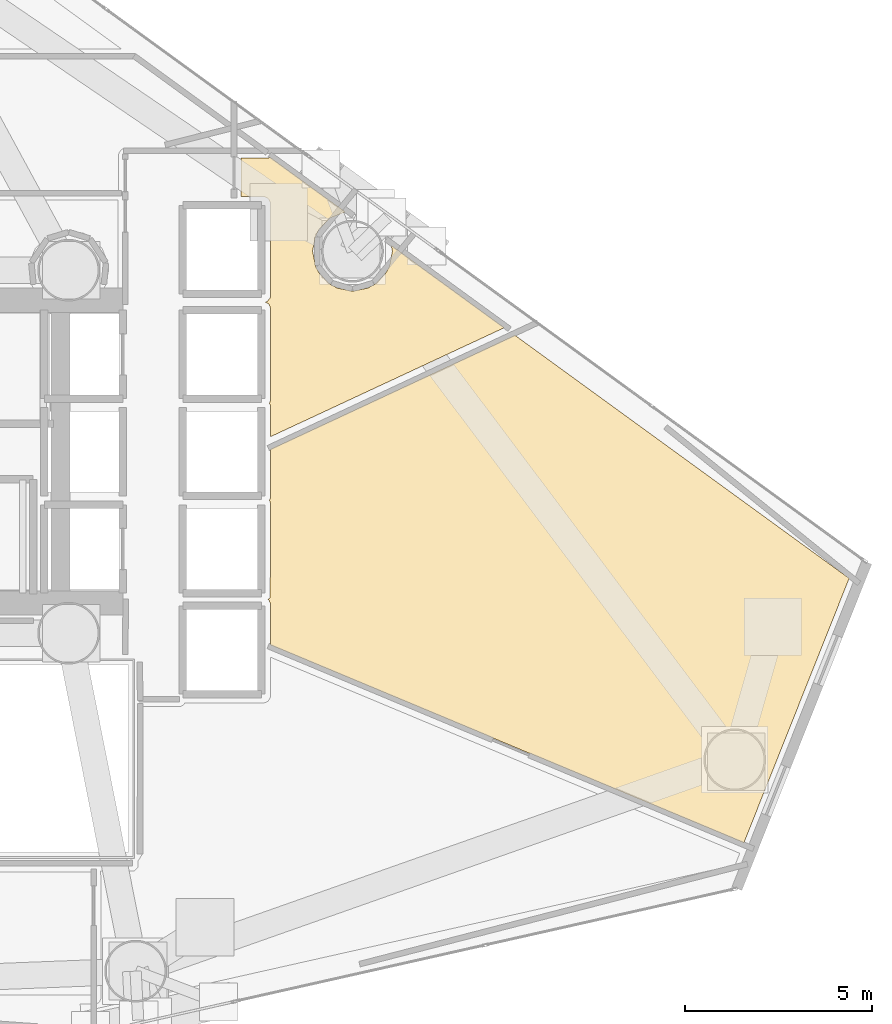
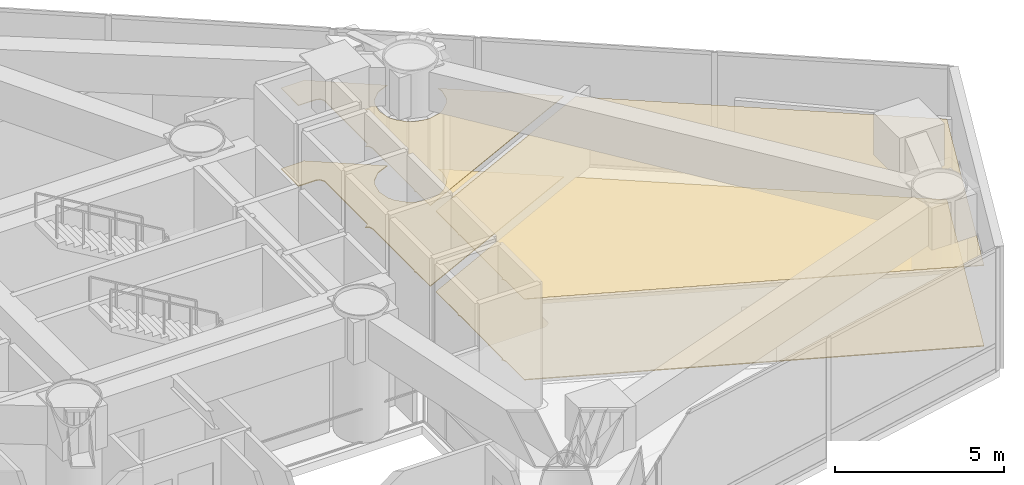
# One storey, part 22 of 22: 4 coverings.
"""IFC4 building model written with IfcOpenShell, lengths in metres."""

from ifc_helpers import new_model, si_unit, direction, frame, origin, place, context, subcontext, project, spatial, polyline, outline, extrude, material, layer, layer_set, type_object, element, save


model = new_model("IFC4")

# Units and contexts
model_context = context("Model", 3, precision=1e-05, world=origin(), true_north=direction((0.0, 1.0)))
body_context = subcontext(model_context, "Body", "Model", "MODEL_VIEW")
ifc_project = project(units=[si_unit("LENGTHUNIT", "METRE"), si_unit("AREAUNIT", "SQUARE_METRE"), si_unit("VOLUMEUNIT", "CUBIC_METRE"), si_unit("PLANEANGLEUNIT", "RADIAN"), si_unit("MASSUNIT", "GRAM", prefix="KILO")], contexts=[model_context])

# Site, building, storey
site_placement = place(None, origin())
site = spatial("IfcSite", under=ifc_project, at=site_placement, CompositionType="ELEMENT")
building_placement = place(site_placement, origin())
building = spatial("IfcBuilding", under=site, at=building_placement, Name="Qianvela Tower", CompositionType="ELEMENT")
storey_placement = place(building_placement, frame((0.0, 0.0, 93.199951171875)))
storey = spatial("IfcBuildingStorey", under=building, at=storey_placement, Name="L23", CompositionType="ELEMENT", Elevation=93.199951171875)

# Coverings
ifc_material_1 = material(Name="Perforated Mineral Acoustic Ceiling Tile")
ifc_layer_1 = layer(ifc_material_1, 0.02490234375)
ifc_layer_set_1 = layer_set([ifc_layer_1], Name="Perforated Mineral Acoustic Ceiling Tile")
covering_type_1 = type_object("IfcCoveringType", Name="COV-CEIL-ACOUSTIC-25", PredefinedType="CEILING", material=ifc_layer_set_1)
covering_1_placement = place(storey_placement, frame((0.0, 0.0, 2.9150390625)))
element("IfcCovering", 1, at=covering_1_placement, inside=storey, type_object=covering_type_1, Name="L23 Acoustic Ceiling L23 Hydronic Heat Exchanger Room", PredefinedType="CEILING", context=body_context, shape_type="SweptSolid", body=[
    extrude(outline(polyline([(43.730224609375, 24.7568359375), (43.74462890625, 24.765380859375), (43.75146484375, 24.77001953125), (43.7578125, 24.775146484375), (43.763427734375, 24.781005859375), (43.7685546875, 24.787353515625), (43.77294921875, 24.794189453125), (43.776611328125, 24.8017578125), (43.779541015625, 24.809326171875), (43.78173828125, 24.817138671875), (43.782958984375, 24.8251953125), (43.783447265625, 24.83349609375), (43.800048828125, 27.299560546875), (43.799560546875, 27.3076171875), (43.798583984375, 27.315673828125), (43.79638671875, 27.323486328125), (43.793701171875, 27.3310546875), (43.7646484375, 27.39990234375), (43.793701171875, 27.468994140625), (43.79638671875, 27.476318359375), (43.79833984375, 27.484130859375), (43.799560546875, 27.491943359375), (43.800048828125, 27.5), (43.800048828125, 28.772216796875), (50.32275390625, 31.813720703125), (59.256591796875, 25.315185546875), (56.443359375, 18.247314453125), (43.79736328125, 23.53125), (43.800048828125, 24.599853515625), (43.7998046875, 24.606689453125), (43.798828125, 24.613525390625), (43.79736328125, 24.620361328125), (43.79541015625, 24.626953125), (43.763427734375, 24.7158203125), (43.760498046875, 24.722900390625), (43.7568359375, 24.72998046875), (43.75244140625, 24.736572265625), (43.74755859375, 24.742431640625), (43.741943359375, 24.748046875), (43.73583984375, 24.753173828125), (43.730224609375, 24.7568359375)])), origin(), (0.0, 0.0, 1.0), 0.02490234375),
])
covering_2_placement = place(storey_placement, frame((0.0, 0.0, 2.9150390625)))
element("IfcCovering", 2, at=covering_2_placement, inside=storey, type_object=covering_type_1, Name="L23 Acoustic Ceiling L23 Air Handling and Smoke Exhaust Plant Room", PredefinedType="CEILING", context=body_context, shape_type="SweptSolid", body=[
    extrude(outline(polyline([(43.647216796875, 32.69677734375), (43.680908203125, 32.70703125), (43.6884765625, 32.709716796875), (43.695556640625, 32.712890625), (43.7021484375, 32.717041015625), (43.70849609375, 32.7216796875), (43.71435546875, 32.72705078125), (43.719482421875, 32.73291015625), (43.771240234375, 32.795654296875), (43.77587890625, 32.802001953125), (43.77978515625, 32.80859375), (43.783203125, 32.815673828125), (43.785888671875, 32.822998046875), (43.787841796875, 32.83056640625), (43.788818359375, 32.83837890625), (43.789306640625, 32.84619140625), (43.79736328125, 35.3271484375), (43.797119140625, 35.334228515625), (43.7958984375, 35.341552734375), (43.79443359375, 35.348388671875), (43.792236328125, 35.35546875), (43.789306640625, 35.362060546875), (43.785888671875, 35.368408203125), (43.7373046875, 35.44921875), (43.732666015625, 35.456298828125), (43.727294921875, 35.462890625), (43.72119140625, 35.46875), (43.71435546875, 35.47412109375), (43.70703125, 35.478515625), (43.699462890625, 35.482177734375), (43.624267578125, 35.51318359375), (43.616943359375, 35.515869140625), (43.609375, 35.517822265625), (43.6015625, 35.518798828125), (43.59375, 35.519287109375), (43.0, 35.52001953125), (43.00927734375, 36.551513671875), (43.72509765625, 36.552001953125), (43.732666015625, 36.552490234375), (43.740234375, 36.553466796875), (43.74755859375, 36.55517578125), (43.754638671875, 36.5576171875), (43.761474609375, 36.560791015625), (43.782470703125, 36.5712890625), (45.800048828125, 35.103759765625), (45.786865234375, 35.102783203125), (45.778076171875, 35.101806640625), (45.76953125, 35.099853515625), (45.76123046875, 35.096923828125), (45.406005859375, 34.949951171875), (45.399169921875, 34.946533203125), (45.392333984375, 34.9423828125), (45.385986328125, 34.937744140625), (45.380126953125, 34.9326171875), (45.1083984375, 34.660888671875), (45.103271484375, 34.655029296875), (45.098388671875, 34.648681640625), (45.094482421875, 34.641845703125), (45.00341796875, 34.4716796875), (45.0, 34.464599609375), (44.997314453125, 34.457275390625), (44.99560546875, 34.44970703125), (44.92041015625, 34.072509765625), (44.91943359375, 34.064697265625), (44.9189453125, 34.056884765625), (44.91943359375, 34.04931640625), (44.92041015625, 34.04150390625), (44.99560546875, 33.664306640625), (44.997314453125, 33.65673828125), (45.0, 33.6494140625), (45.00341796875, 33.642333984375), (45.094482421875, 33.47216796875), (45.098388671875, 33.46533203125), (45.103271484375, 33.458984375), (45.1083984375, 33.453125), (45.380126953125, 33.181396484375), (45.385986328125, 33.17626953125), (45.392333984375, 33.17138671875), (45.399169921875, 33.16748046875), (45.5693359375, 33.076416015625), (45.576416015625, 33.072998046875), (45.583740234375, 33.0703125), (45.59130859375, 33.068603515625), (45.968505859375, 32.993408203125), (45.976318359375, 32.992431640625), (45.98388671875, 32.991943359375), (45.99169921875, 32.992431640625), (45.99951171875, 32.993408203125), (46.376708984375, 33.068603515625), (46.38427734375, 33.0703125), (46.3916015625, 33.072998046875), (46.398681640625, 33.076416015625), (46.56884765625, 33.16748046875), (46.57568359375, 33.17138671875), (46.58203125, 33.17626953125), (46.587890625, 33.181396484375), (46.859619140625, 33.453125), (46.86474609375, 33.458984375), (46.869384765625, 33.46533203125), (46.87353515625, 33.47216796875), (46.964599609375, 33.642333984375), (46.968017578125, 33.6494140625), (46.970703125, 33.65673828125), (46.972412109375, 33.664306640625), (47.047607421875, 34.04150390625), (47.048583984375, 34.049072265625), (47.049072265625, 34.056640625), (47.048583984375, 34.064208984375), (47.047607421875, 34.07177734375), (47.0205078125, 34.2158203125), (50.04541015625, 32.015380859375), (43.800048828125, 29.103271484375), (43.800048828125, 29.89990234375), (43.799560546875, 29.907958984375), (43.79833984375, 29.915771484375), (43.79638671875, 29.923583984375), (43.793701171875, 29.93115234375), (43.7646484375, 30.0), (43.793701171875, 30.06884765625), (43.79638671875, 30.076416015625), (43.79833984375, 30.084228515625), (43.799560546875, 30.092041015625), (43.800048828125, 30.10009765625), (43.800048828125, 32.5), (43.799560546875, 32.509033203125), (43.7978515625, 32.518310546875), (43.79541015625, 32.527099609375), (43.763427734375, 32.61572265625), (43.760498046875, 32.623046875), (43.7568359375, 32.6298828125), (43.75244140625, 32.636474609375), (43.74755859375, 32.642578125), (43.741943359375, 32.648193359375), (43.73583984375, 32.653076171875), (43.729248046875, 32.657470703125), (43.722412109375, 32.6611328125), (43.647216796875, 32.69677734375)])), origin(), (0.0, 0.0, 1.0), 0.02490234375),
])
ifc_material_2 = material(Name="Honed Stone Terrazzo Flooring", Category="masonry")
ifc_layer_2 = layer(ifc_material_2, 0.030029296875)
ifc_layer_set_2 = layer_set([ifc_layer_2], Name="Honed Stone Terrazzo Flooring")
covering_type_2 = type_object("IfcCoveringType", Name="COV-FLOOR-TERRAZZO-30", PredefinedType="FLOORING", material=ifc_layer_set_2)
covering_3_placement = place(storey_placement, origin())
element("IfcCovering", 3, at=covering_3_placement, inside=storey, type_object=covering_type_2, Name="L23 Finish Flooring L23 Hydronic Heat Exchanger Room", PredefinedType="FLOORING", context=body_context, shape_type="SweptSolid", body=[
    extrude(outline(polyline([(43.730224609375, 24.7568359375), (43.74462890625, 24.765380859375), (43.75146484375, 24.77001953125), (43.7578125, 24.775146484375), (43.763427734375, 24.781005859375), (43.7685546875, 24.787353515625), (43.77294921875, 24.794189453125), (43.776611328125, 24.8017578125), (43.779541015625, 24.809326171875), (43.78173828125, 24.817138671875), (43.782958984375, 24.8251953125), (43.783447265625, 24.83349609375), (43.800048828125, 27.299560546875), (43.799560546875, 27.3076171875), (43.798583984375, 27.315673828125), (43.79638671875, 27.323486328125), (43.793701171875, 27.3310546875), (43.7646484375, 27.39990234375), (43.793701171875, 27.468994140625), (43.79638671875, 27.476318359375), (43.79833984375, 27.484130859375), (43.799560546875, 27.491943359375), (43.800048828125, 27.5), (43.800048828125, 28.772216796875), (50.32275390625, 31.813720703125), (59.256591796875, 25.315185546875), (56.443359375, 18.247314453125), (43.79736328125, 23.53125), (43.800048828125, 24.599853515625), (43.7998046875, 24.606689453125), (43.798828125, 24.613525390625), (43.79736328125, 24.620361328125), (43.79541015625, 24.626953125), (43.763427734375, 24.7158203125), (43.760498046875, 24.722900390625), (43.7568359375, 24.72998046875), (43.75244140625, 24.736572265625), (43.74755859375, 24.742431640625), (43.741943359375, 24.748046875), (43.73583984375, 24.753173828125), (43.730224609375, 24.7568359375)])), origin(), (0.0, 0.0, 1.0), 0.030029296875),
])
covering_4_placement = place(storey_placement, origin())
element("IfcCovering", 4, at=covering_4_placement, inside=storey, type_object=covering_type_2, Name="L23 Finish Flooring L23 Air Handling and Smoke Exhaust Plant Room", PredefinedType="FLOORING", context=body_context, shape_type="SweptSolid", body=[
    extrude(outline(polyline([(43.647216796875, 32.69677734375), (43.680908203125, 32.70703125), (43.6884765625, 32.709716796875), (43.695556640625, 32.712890625), (43.7021484375, 32.717041015625), (43.70849609375, 32.7216796875), (43.71435546875, 32.72705078125), (43.719482421875, 32.73291015625), (43.771240234375, 32.795654296875), (43.77587890625, 32.802001953125), (43.77978515625, 32.80859375), (43.783203125, 32.815673828125), (43.785888671875, 32.822998046875), (43.787841796875, 32.83056640625), (43.788818359375, 32.83837890625), (43.789306640625, 32.84619140625), (43.79736328125, 35.3271484375), (43.797119140625, 35.334228515625), (43.7958984375, 35.341552734375), (43.79443359375, 35.348388671875), (43.792236328125, 35.35546875), (43.789306640625, 35.362060546875), (43.785888671875, 35.368408203125), (43.7373046875, 35.44921875), (43.732666015625, 35.456298828125), (43.727294921875, 35.462890625), (43.72119140625, 35.46875), (43.71435546875, 35.47412109375), (43.70703125, 35.478515625), (43.699462890625, 35.482177734375), (43.624267578125, 35.51318359375), (43.616943359375, 35.515869140625), (43.609375, 35.517822265625), (43.6015625, 35.518798828125), (43.59375, 35.519287109375), (43.0, 35.52001953125), (43.00927734375, 36.551513671875), (43.72509765625, 36.552001953125), (43.732666015625, 36.552490234375), (43.740234375, 36.553466796875), (43.74755859375, 36.55517578125), (43.754638671875, 36.5576171875), (43.761474609375, 36.560791015625), (43.782470703125, 36.5712890625), (45.800048828125, 35.103759765625), (45.786865234375, 35.102783203125), (45.778076171875, 35.101806640625), (45.76953125, 35.099853515625), (45.76123046875, 35.096923828125), (45.406005859375, 34.949951171875), (45.399169921875, 34.946533203125), (45.392333984375, 34.9423828125), (45.385986328125, 34.937744140625), (45.380126953125, 34.9326171875), (45.1083984375, 34.660888671875), (45.103271484375, 34.655029296875), (45.098388671875, 34.648681640625), (45.094482421875, 34.641845703125), (45.00341796875, 34.4716796875), (45.0, 34.464599609375), (44.997314453125, 34.457275390625), (44.99560546875, 34.44970703125), (44.92041015625, 34.072509765625), (44.91943359375, 34.064697265625), (44.9189453125, 34.056884765625), (44.91943359375, 34.04931640625), (44.92041015625, 34.04150390625), (44.99560546875, 33.664306640625), (44.997314453125, 33.65673828125), (45.0, 33.6494140625), (45.00341796875, 33.642333984375), (45.094482421875, 33.47216796875), (45.098388671875, 33.46533203125), (45.103271484375, 33.458984375), (45.1083984375, 33.453125), (45.380126953125, 33.181396484375), (45.385986328125, 33.17626953125), (45.392333984375, 33.17138671875), (45.399169921875, 33.16748046875), (45.5693359375, 33.076416015625), (45.576416015625, 33.072998046875), (45.583740234375, 33.0703125), (45.59130859375, 33.068603515625), (45.968505859375, 32.993408203125), (45.976318359375, 32.992431640625), (45.98388671875, 32.991943359375), (45.99169921875, 32.992431640625), (45.99951171875, 32.993408203125), (46.376708984375, 33.068603515625), (46.38427734375, 33.0703125), (46.3916015625, 33.072998046875), (46.398681640625, 33.076416015625), (46.56884765625, 33.16748046875), (46.57568359375, 33.17138671875), (46.58203125, 33.17626953125), (46.587890625, 33.181396484375), (46.859619140625, 33.453125), (46.86474609375, 33.458984375), (46.869384765625, 33.46533203125), (46.87353515625, 33.47216796875), (46.964599609375, 33.642333984375), (46.968017578125, 33.6494140625), (46.970703125, 33.65673828125), (46.972412109375, 33.664306640625), (47.047607421875, 34.04150390625), (47.048583984375, 34.049072265625), (47.049072265625, 34.056640625), (47.048583984375, 34.064208984375), (47.047607421875, 34.07177734375), (47.0205078125, 34.2158203125), (50.04541015625, 32.015380859375), (43.800048828125, 29.103271484375), (43.800048828125, 29.89990234375), (43.799560546875, 29.907958984375), (43.79833984375, 29.915771484375), (43.79638671875, 29.923583984375), (43.793701171875, 29.93115234375), (43.7646484375, 30.0), (43.793701171875, 30.06884765625), (43.79638671875, 30.076416015625), (43.79833984375, 30.084228515625), (43.799560546875, 30.092041015625), (43.800048828125, 30.10009765625), (43.800048828125, 32.5), (43.799560546875, 32.509033203125), (43.7978515625, 32.518310546875), (43.79541015625, 32.527099609375), (43.763427734375, 32.61572265625), (43.760498046875, 32.623046875), (43.7568359375, 32.6298828125), (43.75244140625, 32.636474609375), (43.74755859375, 32.642578125), (43.741943359375, 32.648193359375), (43.73583984375, 32.653076171875), (43.729248046875, 32.657470703125), (43.722412109375, 32.6611328125), (43.647216796875, 32.69677734375)])), origin(), (0.0, 0.0, 1.0), 0.030029296875),
])

save(model, "model.ifc")
